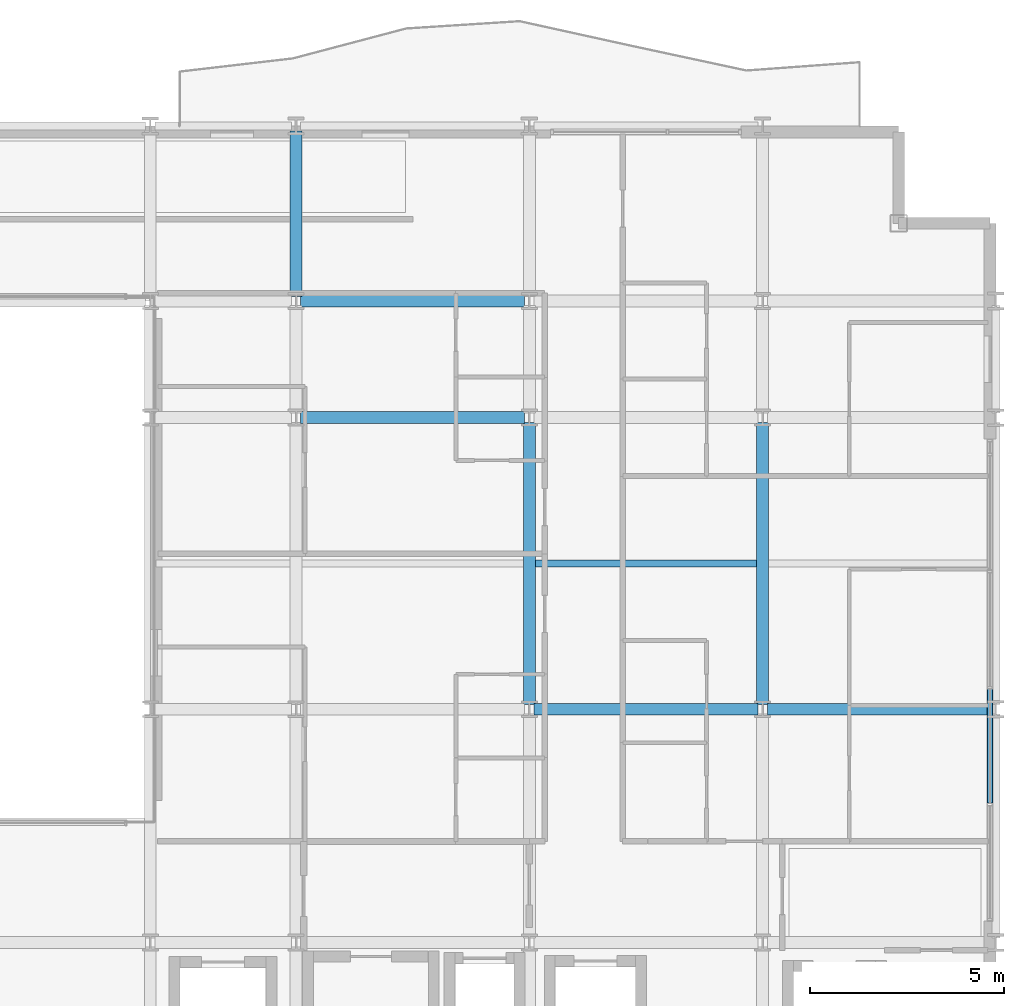
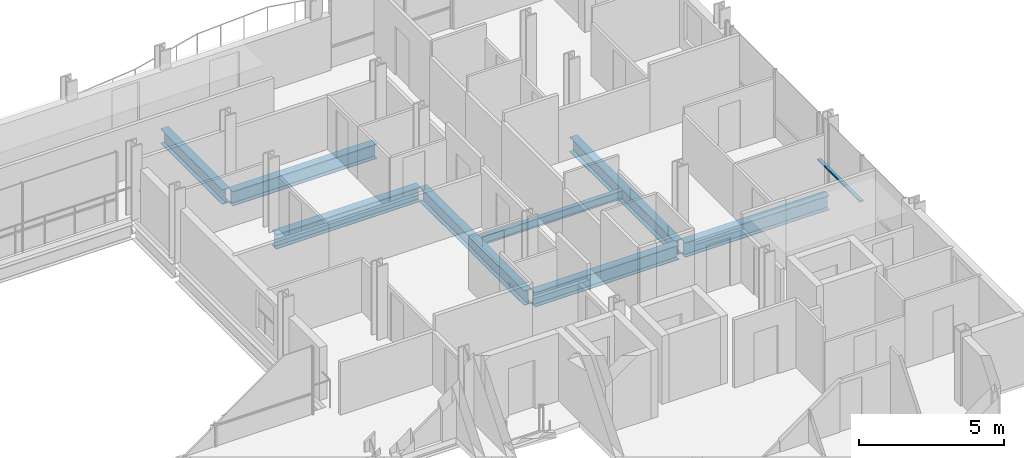
# One storey, part 18 of 40: 8 beams, 1 member, 1 element without a shape of its own.
"""IFC4 building model written with IfcOpenShell, lengths in metres."""

from ifc_helpers import new_model, si_unit, direction, frame, origin, origin_2d, place, context, subcontext, project, spatial, hollow_rectangle, i_section, extrude, material, layer, layer_set, material_profile, profile_set, type_object, element, aggregate, save


model = new_model("IFC4")

# Units and contexts
model_context = context("Model", 3, precision=1e-05, world=origin(), true_north=direction((0.0, 1.0)))
body_context = subcontext(model_context, "Body", "Model", "MODEL_VIEW")
ifc_project = project(units=[si_unit("LENGTHUNIT", "METRE"), si_unit("AREAUNIT", "SQUARE_METRE"), si_unit("VOLUMEUNIT", "CUBIC_METRE"), si_unit("PLANEANGLEUNIT", "RADIAN"), si_unit("MASSUNIT", "GRAM", prefix="KILO")], contexts=[model_context])

# Site, building, storey
site_placement = place(None, origin())
site = spatial("IfcSite", under=ifc_project, at=site_placement, CompositionType="ELEMENT")
building_placement = place(site_placement, origin())
building = spatial("IfcBuilding", under=site, at=building_placement, Name="Brevholm Reach", CompositionType="ELEMENT")
storey_placement = place(building_placement, frame((0.0, 0.0, 62.10009765625)))
storey = spatial("IfcBuildingStorey", under=building, at=storey_placement, Name="L17", CompositionType="ELEMENT", Elevation=62.10009765625)

# Beams
ifc_material_1 = material(Name="Structural Steel S355J2", Category="steel")
ifc_material_profile_1 = material_profile(ifc_material_1, i_section(OverallWidth=0.17138671875, OverallDepth=0.35498046875, WebThickness=0.00732421875, FlangeThickness=0.011474609375, FilletRadius=0.01025390625, at=origin_2d()), Name="UKB 356x171x51")
ifc_profile_set_1 = profile_set([ifc_material_profile_1], Name="Structural Steel S355J2")
beam_type_1 = type_object("IfcBeamType", Name="BM-B356", PredefinedType="BEAM", material=ifc_profile_set_1)
beam_1_placement = place(storey_placement, frame((48.153564453125, 19.75, -0.40771484375), z_axis=(1.0, 0.0, 0.0), x_axis=(0.0, 1.0, 0.0)))
element("IfcBeam", 1, at=beam_1_placement, inside=storey, type_object=beam_type_1, Name="L17 Composite Secondary Floor Beam", PredefinedType="BEAM", context=body_context, shape_type="SweptSolid", body=[
    extrude(i_section(OverallWidth=0.17138671875, OverallDepth=0.35498046875, WebThickness=0.00732421875, FlangeThickness=0.011474609375, FilletRadius=0.01025390625, at=origin_2d()), origin(), (0.0, 0.0, 1.0), 5.69287109375),
])
ifc_material_2 = material(Name="Structural Steel S355J2", Category="steel")
ifc_material_profile_2 = material_profile(ifc_material_2, i_section(OverallWidth=0.30712890625, OverallDepth=0.6201171875, WebThickness=0.01416015625, FlangeThickness=0.023681640625, FilletRadius=0.0166015625, at=origin_2d()), Name="UKB 610x305x179")
ifc_profile_set_2 = profile_set([ifc_material_profile_2], Name="Structural Steel S355J2")
beam_type_2 = type_object("IfcBeamType", Name="BM-UKB610H", PredefinedType="USERDEFINED", material=ifc_profile_set_2)
for number, where, z_axis, x_axis, name in (
    (2, (48.1201171875, 16.0, -0.540283203125), (1.0, 0.0, 0.0), (0.0, 1.0, 0.0), "L17 G-06 Framing Beam"),
    (3, (54.1201171875, 16.0, -0.540283203125), (1.0, 0.0, 0.0), (0.0, 1.0, 0.0), "L17 G-06 Framing Beam"),
    (4, (42.1201171875, 23.5, -0.540283203125), (1.0, 0.0, 0.0), (0.0, 1.0, 0.0), "L17 G-06 Framing Beam"),
    (5, (42.1201171875, 26.5, -0.540283203125), (1.0, 0.0, 0.0), (0.0, 1.0, 0.0), "L17 G-06 Framing Beam"),
):
    element("IfcBeam", number, at=place(storey_placement, frame(where, z_axis=z_axis, x_axis=x_axis)), inside=storey, type_object=beam_type_2, Name=name, ObjectType="GIRDER", PredefinedType="USERDEFINED", context=body_context, shape_type="SweptSolid", body=[
        extrude(i_section(OverallWidth=0.30712890625, OverallDepth=0.6201171875, WebThickness=0.01416015625, FlangeThickness=0.023681640625, FilletRadius=0.0166015625, at=origin_2d()), origin(), (0.0, 0.0, 1.0), 5.759765625),
    ])
beam_2_placement = place(storey_placement, frame((42.0, 26.6201171875, -0.540283203125), z_axis=(0.0, 1.0, 0.0), x_axis=(-1.0, 0.0, 0.0)))
element("IfcBeam", 6, at=beam_2_placement, inside=storey, type_object=beam_type_2, Name="L17 G-06 Framing Beam", ObjectType="GIRDER", PredefinedType="USERDEFINED", context=body_context, shape_type="SweptSolid", body=[
    extrude(i_section(OverallWidth=0.30712890625, OverallDepth=0.6201171875, WebThickness=0.01416015625, FlangeThickness=0.023681640625, FilletRadius=0.0166015625, at=origin_2d()), origin(), (0.0, 0.0, 1.0), 4.259765625),
])
for number, where, z_axis, x_axis, name in (
    (7, (48.0, 16.1201171875, -0.540283203125), (0.0, 1.0, 0.0), (-1.0, 0.0, 0.0), "L17 G-06 Framing Beam"),
    (8, (54.0, 16.1201171875, -0.540283203125), (0.0, 1.0, 0.0), (-1.0, 0.0, 0.0), "L17 G-06 Framing Beam"),
):
    element("IfcBeam", number, at=place(storey_placement, frame(where, z_axis=z_axis, x_axis=x_axis)), inside=storey, type_object=beam_type_2, Name=name, ObjectType="GIRDER", PredefinedType="USERDEFINED", context=body_context, shape_type="SweptSolid", body=[
        extrude(i_section(OverallWidth=0.30712890625, OverallDepth=0.6201171875, WebThickness=0.01416015625, FlangeThickness=0.023681640625, FilletRadius=0.0166015625, at=origin_2d()), origin(), (0.0, 0.0, 1.0), 7.259765625),
    ])

# Curtain wall, member
ifc_material_3 = material(Name="Dark Anodised Aluminium 6063-T6 and Solar-Control Glass", Category="aluminium")
ifc_layer = layer(ifc_material_3, 0.14990234375)
ifc_layer_set = layer_set([ifc_layer], Name="Dark Anodised Aluminium 6063-T6 and Solar-Control Glass")
curtain_wall_type = type_object("IfcCurtainWallType", Name="CW-01", PredefinedType="NOTDEFINED", material=ifc_layer_set)
curtain_wall_placement = place(storey_placement, origin())
curtain_wall = element("IfcCurtainWall", 9, at=curtain_wall_placement, inside=storey, type_object=curtain_wall_type, Name="L17 Curtain Wall CW-01", PredefinedType="NOTDEFINED")
ifc_material_4 = material(Name="Dark Anodised Aluminium 6063-T6", Category="aluminium")
ifc_material_profile_3 = material_profile(ifc_material_4, hollow_rectangle(XDim=0.06494140625, YDim=0.14990234375, WallThickness=0.0048828125, InnerFilletRadius=0.0048828125, OuterFilletRadius=0.010009765625, at=origin_2d()), Name="RHS 150x65x5")
ifc_profile_set_3 = profile_set([ifc_material_profile_3], Name="Dark Anodised Aluminium 6063-T6")
member_type = type_object("IfcMemberType", Name="CWT-150", PredefinedType="NOTDEFINED", material=ifc_profile_set_3)
member_placement = place(storey_placement, frame((59.85009765625, 13.58251953125, 0.89990234375), z_axis=(0.0, 1.0, 0.0), x_axis=(0.0, 0.0, 1.0)))
member = element("IfcMember", 10, at=member_placement, type_object=member_type, Name="CT-150 Transom 2.1", ObjectType="TRANSOM", PredefinedType="USERDEFINED", context=body_context, shape_type="SweptSolid", body=[
    extrude(hollow_rectangle(XDim=0.06494140625, YDim=0.14990234375, WallThickness=0.0048828125, InnerFilletRadius=0.0048828125, OuterFilletRadius=0.010009765625, at=origin_2d()), origin(), (0.0, 0.0, 1.0), 2.93505859375),
])
aggregate(curtain_wall, [member])

save(model, "model.ifc")
